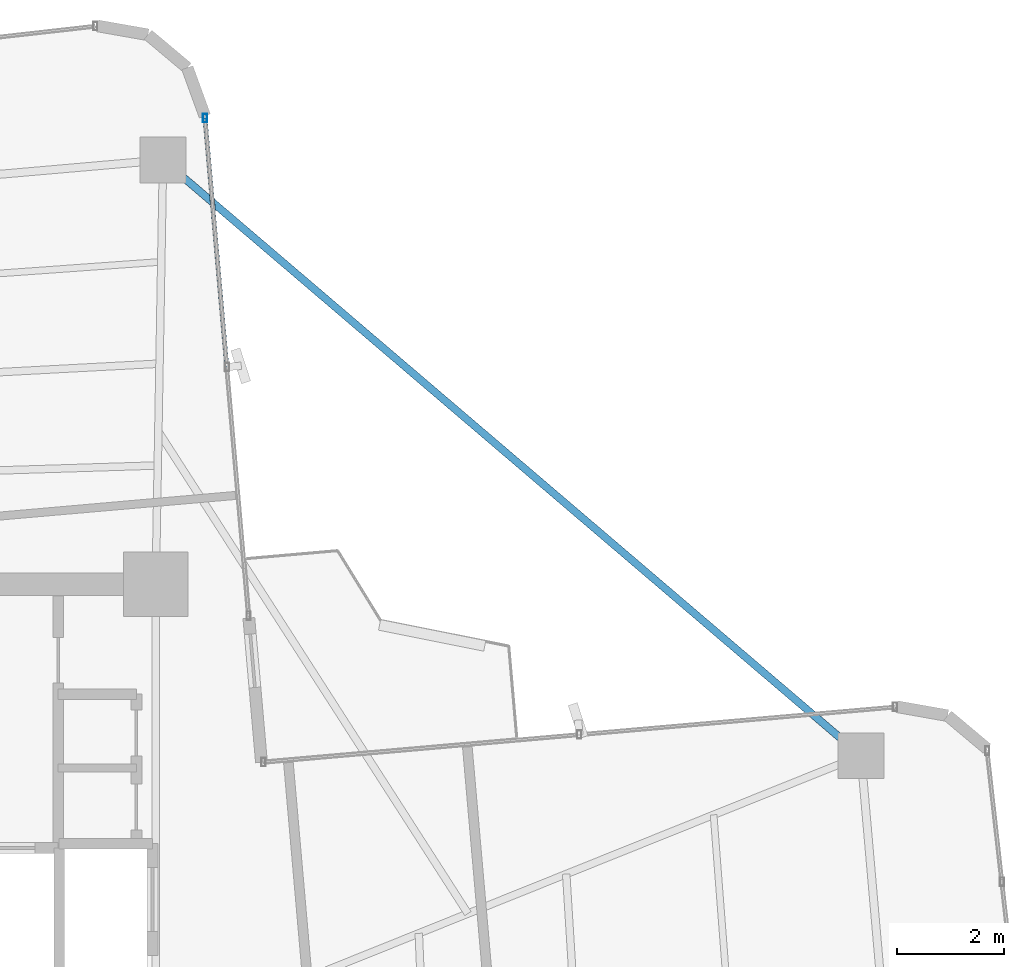
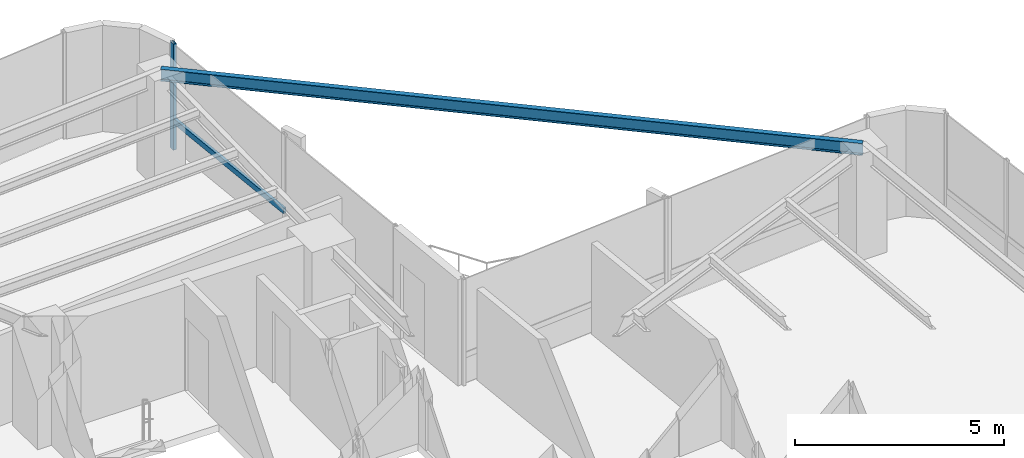
# One storey, part 17 of 24: 2 members, 1 beam, 1 element without a shape of its own.
"""IFC4 building model written with IfcOpenShell, lengths in metres."""

from ifc_helpers import new_model, si_unit, direction, frame, origin, origin_2d, place, context, subcontext, project, spatial, hollow_rectangle, i_section, extrude, source, transform, mapped, material, material_profile, profile_set, type_object, element, aggregate, save


model = new_model("IFC4")

# Units and contexts
model_context = context("Model", 3, precision=1e-05, world=origin(), true_north=direction((0.0, 1.0)))
body_context = subcontext(model_context, "Body", "Model", "MODEL_VIEW")
ifc_project = project(units=[si_unit("LENGTHUNIT", "METRE"), si_unit("AREAUNIT", "SQUARE_METRE"), si_unit("VOLUMEUNIT", "CUBIC_METRE"), si_unit("PLANEANGLEUNIT", "RADIAN"), si_unit("MASSUNIT", "GRAM", prefix="KILO")], contexts=[model_context])

# Site, building, storey
site_placement = place(None, origin())
site = spatial("IfcSite", under=ifc_project, at=site_placement, CompositionType="ELEMENT")
building_placement = place(site_placement, origin())
building = spatial("IfcBuilding", under=site, at=building_placement, Name="Sahyath Konkavel Grand Hotel", CompositionType="ELEMENT")
storey_placement = place(building_placement, frame((0.0, 0.0, 195.300048828125)))
storey = spatial("IfcBuildingStorey", under=building, at=storey_placement, Name="L54", CompositionType="ELEMENT", Elevation=195.300048828125)

# Beam
ifc_material_1 = material(Name="Steel E350", Category="steel")
ifc_material_profile_1 = material_profile(ifc_material_1, i_section(OverallWidth=0.139892578125, OverallDepth=0.35009765625, WebThickness=0.008056640625, FlangeThickness=0.01416015625, FilletRadius=0.013916015625, at=origin_2d()), Name="ISMB 350")
ifc_profile_set_1 = profile_set([ifc_material_profile_1], Name="Steel E350")
beam_type = type_object("IfcBeamType", Name="BM-ISMB350", PredefinedType="BEAM", material=ifc_profile_set_1)
shared_shape_1 = source(origin(), body_context, "Body", "SweptSolid", [
    extrude(i_section(OverallWidth=0.139892578125, OverallDepth=0.35009765625, WebThickness=0.008056640625, FlangeThickness=0.01416015625, FilletRadius=0.013916015625, at=origin_2d()), origin(), (0.0, 0.0, 1.0), 17.11279296875),
])
beam_placement = place(storey_placement, frame((16.9541015625, 7.00439453125, 2.93505859375), z_axis=(-0.760711911164, 0.649089661151, 0.0), x_axis=(-0.649089661151, -0.760711911164, 0.0)))
element("IfcBeam", 1, at=beam_placement, inside=storey, type_object=beam_type, Name="L54 Re-Entrant Tie Beam NE", PredefinedType="BEAM", context=body_context, shape_type="MappedRepresentation", body=[
    mapped(shared_shape_1, transform((0.0, 0.0, 0.0), scale=1.0)),
])

# Curtain wall, members
ifc_material_2 = material(Name="Anodised Bronze Aluminium & Low-E Glazing", Category="aluminium")
curtain_wall_type = type_object("IfcCurtainWallType", Name="CW-ZONE3", PredefinedType="NOTDEFINED", material=ifc_material_2)
curtain_wall_placement = place(storey_placement, origin())
curtain_wall = element("IfcCurtainWall", 2, at=curtain_wall_placement, inside=storey, type_object=curtain_wall_type, Name="L54 Unitised Curtain Wall F8", PredefinedType="NOTDEFINED")
ifc_material_3 = material(Name="Anodised Bronze Aluminium", Category="aluminium")
ifc_material_profile_2 = material_profile(ifc_material_3, hollow_rectangle(XDim=0.080078125, YDim=0.159912109375, WallThickness=0.006103515625, at=origin_2d()), Name="RHS 160x80x6")
ifc_profile_set_2 = profile_set([ifc_material_profile_2], Name="Anodised Bronze Aluminium")
member_type_1 = type_object("IfcMemberType", Name="CW-MUL-160", PredefinedType="MULLION", material=ifc_profile_set_2)
shared_shape_2 = source(origin(), body_context, "Body", "SweptSolid", [
    extrude(hollow_rectangle(XDim=0.080078125, YDim=0.159912109375, WallThickness=0.006103515625, at=origin_2d()), origin(), (0.0, 0.0, 1.0), 3.10986328125),
])
member_1_placement = place(storey_placement, frame((4.72119140625, 18.893310546875, 0.0), z_axis=(0.0, 0.0, 1.0), x_axis=(1.0, 0.0, 0.0)))
member_1 = element("IfcMember", 3, at=member_1_placement, type_object=member_type_1, Name="L54 Curtain Wall Mullion F8-2", PredefinedType="MULLION", context=body_context, shape_type="MappedRepresentation", body=[
    mapped(shared_shape_2, transform((0.0, 0.0, 0.0), scale=1.0)),
])
ifc_material_profile_3 = material_profile(ifc_material_3, hollow_rectangle(XDim=0.080078125, YDim=0.159912109375, WallThickness=0.006103515625, at=origin_2d()), Name="RHS 160x80x6")
ifc_profile_set_3 = profile_set([ifc_material_profile_3], Name="Anodised Bronze Aluminium")
member_type_2 = type_object("IfcMemberType", Name="CW-TRN-160", PredefinedType="USERDEFINED", material=ifc_profile_set_3)
shared_shape_3 = source(origin(), body_context, "Body", "SweptSolid", [
    extrude(hollow_rectangle(XDim=0.080078125, YDim=0.159912109375, WallThickness=0.006103515625, at=origin_2d()), origin(), (0.0, 0.0, 1.0), 4.659912109375),
])
member_2_placement = place(storey_placement, frame((5.12744140625, 14.251220703125, 0.849853515625), z_axis=(-0.087181248758, 0.996192466276, 0.0), x_axis=(-0.996192466276, -0.087181248758, 0.0)))
member_2 = element("IfcMember", 4, at=member_2_placement, type_object=member_type_2, Name="L54 Curtain Wall Transom F8-1-spandrel", ObjectType="TRANSOM", PredefinedType="USERDEFINED", context=body_context, shape_type="MappedRepresentation", body=[
    mapped(shared_shape_3, transform((0.0, 0.0, 0.0), scale=1.0)),
])
aggregate(curtain_wall, [member_1, member_2])

save(model, "model.ifc")
